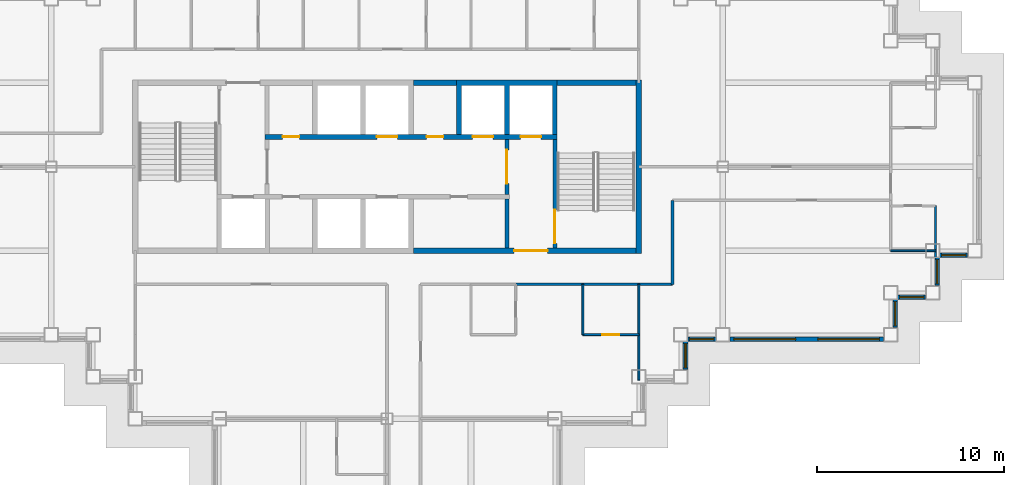
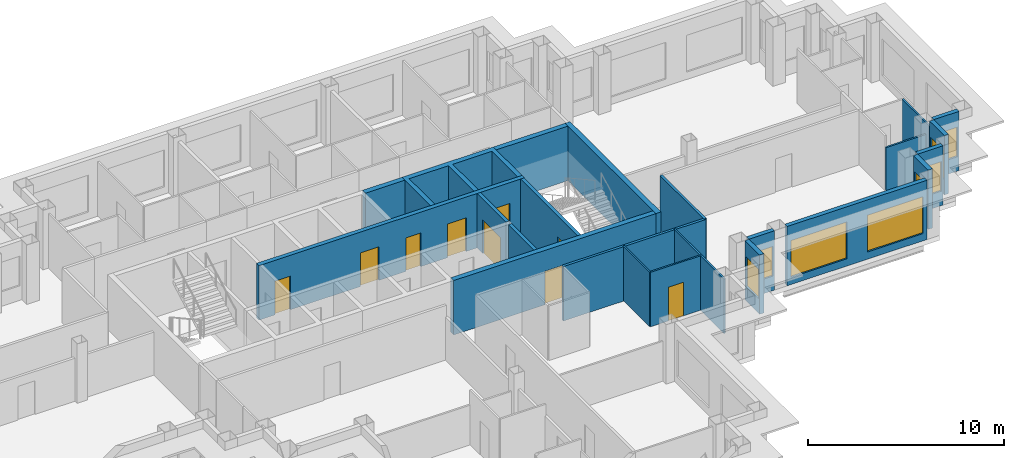
# One storey, part 6 of 13: 23 walls, 9 doors, 8 windows, 17 openings.
"""IFC4 building model written with IfcOpenShell, lengths in metres."""

from ifc_helpers import new_model, si_unit, direction, frame, frame_2d, origin, place, context, subcontext, project, spatial, polyline, rectangle, outline, extrude, material, layer, layer_set, type_object, element, fill, save


model = new_model("IFC4")

# Units and contexts
model_context = context("Model", 3, precision=1e-05, world=origin(), true_north=direction((0.0, 1.0)))
body_context = subcontext(model_context, "Body", "Model", "MODEL_VIEW")
ifc_project = project(units=[si_unit("LENGTHUNIT", "METRE"), si_unit("AREAUNIT", "SQUARE_METRE"), si_unit("VOLUMEUNIT", "CUBIC_METRE"), si_unit("PLANEANGLEUNIT", "RADIAN"), si_unit("MASSUNIT", "GRAM", prefix="KILO")], contexts=[model_context])

# Site, building, storey
site_placement = place(None, origin())
site = spatial("IfcSite", under=ifc_project, at=site_placement, CompositionType="ELEMENT")
building_placement = place(site_placement, origin())
building = spatial("IfcBuilding", under=site, at=building_placement, Name="Caravel Reach Hotel and Residences", CompositionType="ELEMENT")
storey_placement = place(building_placement, frame((0.0, 0.0, 169.10009765625)))
storey = spatial("IfcBuildingStorey", under=building, at=storey_placement, Name="L42", CompositionType="ELEMENT", Elevation=169.10009765625)

# Wall
ifc_material_1 = material(Name="Autoclaved aerated block wall")
ifc_layer_1 = layer(ifc_material_1, 0.199951171875)
ifc_layer_set_1 = layer_set([ifc_layer_1], Name="Compartment wall 200 mm EI 120")
wall_type_1 = type_object("IfcWallType", Name="Compartment wall 200 mm EI 120", PredefinedType="PARTITIONING", material=ifc_layer_set_1)
wall_1_placement = place(storey_placement, frame((37.928466796875, 22.64990234375, 0.0), z_axis=(0.0, 0.0, 1.0), x_axis=(0.0, 1.0, 0.0)))
element("IfcWall", 1, at=wall_1_placement, inside=storey, type_object=wall_type_1, Name="L42 store partition", PredefinedType="PARTITIONING", context=body_context, shape_type="SweptSolid", body=[
    extrude(rectangle(XDim=2.625, YDim=0.199951171875, at=frame_2d((1.3125, 0.0))), origin(), (0.0, 0.0, 1.0), 3.39990234375),
])

# Wall, opening, door
ifc_material_2 = material(Name="Concrete C60", Category="concrete")
ifc_layer_2 = layer(ifc_material_2, 0.300048828125)
ifc_layer_set_2 = layer_set([ifc_layer_2], Name="Core wall 300 mm EI 120")
wall_type_2 = type_object("IfcWallType", Name="Core wall 300 mm EI 120", PredefinedType="SHEAR", material=ifc_layer_set_2)
wall_2_placement = place(storey_placement, frame((32.91064453125, 22.5, 0.0), z_axis=(0.0, 0.0, 1.0), x_axis=(1.0, 0.0, 0.0)))
wall_2 = element("IfcWall", 2, at=wall_2_placement, inside=storey, type_object=wall_type_2, Name="L42 core wall S3", PredefinedType="SHEAR", context=body_context, shape_type="SweptSolid", body=[
    extrude(rectangle(XDim=11.939453125, YDim=0.300048828125, at=frame_2d((5.9697265625, 0.0))), origin(), (0.0, 0.0, 1.0), 3.39990234375),
])
opening_1_placement = place(wall_2_placement, frame((5.403564453125, 0.0, 0.0)))
opening_1 = element("IfcOpeningElement", 3, at=opening_1_placement, cuts=wall_2, Name="Opening D42-015", PredefinedType="OPENING", context=body_context, shape_type="SweptSolid", body=[
    extrude(rectangle(XDim=1.800048828125, YDim=2.10009765625, at=frame_2d((0.89990234375, 1.050048828125))), frame((0.0, 0.159912109375, 0.0), z_axis=(0.0, -1.0, 0.0), x_axis=(1.0, 0.0, 0.0)), (0.0, 0.0, 1.0), 0.320068359375),
])
ifc_material_3 = material(Name="Steel fire door leaf", Category="steel")
door_type_1 = type_object("IfcDoorType", Name="Fire lobby door pair 1800 x 2100 EI 90", OperationType="DOUBLE_DOOR_SINGLE_SWING", PredefinedType="DOOR", material=ifc_material_3)
door_1_placement = place(opening_1_placement, origin())
door_1 = element("IfcDoor", 4, at=door_1_placement, inside=storey, type_object=door_type_1, Name="lobby S door pair to corridor", OperationType="DOUBLE_DOOR_SINGLE_SWING", OverallHeight=2.10009765625, OverallWidth=1.800048828125, PredefinedType="DOOR", context=body_context, shape_type="SweptSolid", body=[
    extrude(rectangle(XDim=1.800048828125, YDim=2.10009765625, at=frame_2d((0.89990234375, 1.050048828125))), frame((0.0, 0.02490234375, 0.0), z_axis=(0.0, -1.0, 0.0), x_axis=(1.0, 0.0, 0.0)), (0.0, 0.0, 1.0), 0.050048828125),
])
fill(opening_1, door_1)

# Walls
wall_3_placement = place(storey_placement, frame((32.91064453125, 31.5, 0.0), z_axis=(0.0, 0.0, 1.0), x_axis=(1.0, 0.0, 0.0)))
element("IfcWall", 5, at=wall_3_placement, inside=storey, type_object=wall_type_2, Name="L42 core wall N2", PredefinedType="SHEAR", context=body_context, shape_type="SweptSolid", body=[
    extrude(rectangle(XDim=2.321533203125, YDim=0.300048828125, at=frame_2d((1.16064453125, 0.0))), origin(), (0.0, 0.0, 1.0), 3.39990234375),
])
wall_4_placement = place(storey_placement, frame((40.625, 31.5, 0.0), z_axis=(0.0, 0.0, 1.0), x_axis=(1.0, 0.0, 0.0)))
element("IfcWall", 6, at=wall_4_placement, inside=storey, type_object=wall_type_2, Name="L42 core wall N3", PredefinedType="SHEAR", context=body_context, shape_type="SweptSolid", body=[
    extrude(rectangle(XDim=4.22509765625, YDim=0.300048828125, at=frame_2d((2.112548828125, 0.0))), origin(), (0.0, 0.0, 1.0), 3.39990234375),
])
wall_5_placement = place(storey_placement, frame((45.0, 22.35009765625, 0.0), z_axis=(0.0, 0.0, 1.0), x_axis=(0.0, 1.0, 0.0)))
element("IfcWall", 7, at=wall_5_placement, inside=storey, type_object=wall_type_2, Name="L42 core wall E", PredefinedType="SHEAR", context=body_context, shape_type="SweptSolid", body=[
    extrude(rectangle(XDim=9.2998046875, YDim=0.300048828125, at=frame_2d((4.64990234375, 0.0))), origin(), (0.0, 0.0, 1.0), 3.39990234375),
])
ifc_material_4 = material(Name="Gypsum board on steel stud, fire-rated", Category="steel")
ifc_layer_3 = layer(ifc_material_4, 0.14990234375)
ifc_layer_set_3 = layer_set([ifc_layer_3], Name="Corridor wall 150 mm EI 60")
wall_type_3 = type_object("IfcWallType", Name="Corridor wall 150 mm EI 60", PredefinedType="PARTITIONING", material=ifc_layer_set_3)
wall_6_placement = place(storey_placement, frame((38.39990234375, 20.699951171875, 0.0), z_axis=(0.0, 0.0, 1.0), x_axis=(1.0, 0.0, 0.0)))
element("IfcWall", 8, at=wall_6_placement, inside=storey, type_object=wall_type_3, Name="L42 wall w003", PredefinedType="PARTITIONING", context=body_context, shape_type="SweptSolid", body=[
    extrude(rectangle(XDim=8.400146484375, YDim=0.14990234375, at=frame_2d((4.2001953125, 0.0))), origin(), (0.0, 0.0, 1.0), 3.39990234375),
])
wall_7_placement = place(storey_placement, frame((46.800048828125, 20.699951171875, 0.0), z_axis=(0.0, 0.0, 1.0), x_axis=(0.0, 1.0, 0.0)))
element("IfcWall", 9, at=wall_7_placement, inside=storey, type_object=wall_type_3, Name="L42 wall w029", PredefinedType="PARTITIONING", context=body_context, shape_type="SweptSolid", body=[
    extrude(rectangle(XDim=4.4990234375, YDim=0.14990234375, at=frame_2d((2.24951171875, 0.0))), origin(), (0.0, 0.0, 1.0), 3.39990234375),
])

# Wall, opening, window
ifc_material_5 = material(Name="Insulated rainscreen wall, aluminium cladding", Category="aluminium")
ifc_layer_4 = layer(ifc_material_5, 0.25)
ifc_layer_set_4 = layer_set([ifc_layer_4], Name="EW1 Tower rainscreen wall")
wall_type_4 = type_object("IfcWallType", Name="EW1 Tower rainscreen wall", PredefinedType="SOLIDWALL", material=ifc_layer_set_4)
wall_8_placement = place(storey_placement, frame((47.5, 16.125, 0.0), z_axis=(0.0, 0.0, 1.0), x_axis=(0.0, 1.0, 0.0)))
wall_8 = element("IfcWall", 10, at=wall_8_placement, inside=storey, type_object=wall_type_4, Name="External wall L42 E14.1", PredefinedType="SOLIDWALL", context=body_context, shape_type="SweptSolid", body=[
    extrude(rectangle(XDim=1.5, YDim=0.25, at=frame_2d((0.75, 0.0))), origin(), (0.0, 0.0, 1.0), 3.699951171875),
])
opening_2_placement = place(wall_8_placement, frame((0.10009765625, 0.0, 0.89990234375)))
opening_2 = element("IfcOpeningElement", 11, at=opening_2_placement, cuts=wall_8, Name="Opening WN16", PredefinedType="OPENING", context=body_context, shape_type="SweptSolid", body=[
    extrude(rectangle(XDim=1.300048828125, YDim=1.85009765625, at=frame_2d((0.64990234375, 0.925048828125))), frame((0.0, 0.135009765625, 0.0), z_axis=(0.0, -1.0, 0.0), x_axis=(1.0, 0.0, 0.0)), (0.0, 0.0, 1.0), 0.27001953125),
])
ifc_material_6 = material(Name="Dark low-e glazing in black aluminium frame", Category="aluminium")
window_type_1 = type_object("IfcWindowType", Name="Residence bedroom window 1300 x 1850", PartitioningType="SINGLE_PANEL", PredefinedType="WINDOW", material=ifc_material_6)
window_1_placement = place(opening_2_placement, origin())
window_1 = element("IfcWindow", 12, at=window_1_placement, inside=storey, type_object=window_type_1, Name="Window L42 E14.1.1", OverallHeight=1.85009765625, OverallWidth=1.300048828125, PartitioningType="SINGLE_PANEL", PredefinedType="WINDOW", context=body_context, shape_type="SweptSolid", body=[
    extrude(rectangle(XDim=1.300048828125, YDim=1.85009765625, at=frame_2d((0.64990234375, 0.925048828125))), frame((0.0, 0.030029296875, 0.0), z_axis=(0.0, -1.0, 0.0), x_axis=(1.0, 0.0, 0.0)), (0.0, 0.0, 1.0), 0.06005859375),
])
fill(opening_2, window_1)

wall_9_placement = place(storey_placement, frame((47.625, 17.75, 0.0), z_axis=(0.0, 0.0, 1.0), x_axis=(1.0, 0.0, 0.0)))
wall_9 = element("IfcWall", 13, at=wall_9_placement, inside=storey, type_object=wall_type_4, Name="External wall L42 S15.1", PredefinedType="SOLIDWALL", context=body_context, shape_type="SweptSolid", body=[
    extrude(rectangle(XDim=1.5, YDim=0.25, at=frame_2d((0.75, 0.0))), origin(), (0.0, 0.0, 1.0), 3.699951171875),
])
opening_3_placement = place(wall_9_placement, frame((0.10009765625, 0.0, 0.89990234375)))
opening_3 = element("IfcOpeningElement", 14, at=opening_3_placement, cuts=wall_9, Name="Opening WN16", PredefinedType="OPENING", context=body_context, shape_type="SweptSolid", body=[
    extrude(rectangle(XDim=1.300048828125, YDim=1.85009765625, at=frame_2d((0.64990234375, 0.925048828125))), frame((0.0, 0.135009765625, 0.0), z_axis=(0.0, -1.0, 0.0), x_axis=(1.0, 0.0, 0.0)), (0.0, 0.0, 1.0), 0.27001953125),
])
window_2_placement = place(opening_3_placement, origin())
window_2 = element("IfcWindow", 15, at=window_2_placement, inside=storey, type_object=window_type_1, Name="Window L42 S15.1.1", OverallHeight=1.85009765625, OverallWidth=1.300048828125, PartitioningType="SINGLE_PANEL", PredefinedType="WINDOW", context=body_context, shape_type="SweptSolid", body=[
    extrude(rectangle(XDim=1.300048828125, YDim=1.85009765625, at=frame_2d((0.64990234375, 0.925048828125))), frame((0.0, 0.030029296875, 0.0), z_axis=(0.0, -1.0, 0.0), x_axis=(1.0, 0.0, 0.0)), (0.0, 0.0, 1.0), 0.06005859375),
])
fill(opening_3, window_2)

# Wall, openings, windows
wall_10_placement = place(storey_placement, frame((49.875, 17.75, 0.0), z_axis=(0.0, 0.0, 1.0), x_axis=(1.0, 0.0, 0.0)))
wall_10 = element("IfcWall", 16, at=wall_10_placement, inside=storey, type_object=wall_type_4, Name="External wall L42 S15.2", PredefinedType="SOLIDWALL", context=body_context, shape_type="SweptSolid", body=[
    extrude(rectangle(XDim=8.25, YDim=0.25, at=frame_2d((4.125, 0.0))), origin(), (0.0, 0.0, 1.0), 3.699951171875),
])
opening_4_placement = place(wall_10_placement, frame((0.22509765625, 0.0, 0.449951171875)))
opening_4 = element("IfcOpeningElement", 17, at=opening_4_placement, cuts=wall_10, Name="Opening WN15", PredefinedType="OPENING", context=body_context, shape_type="SweptSolid", body=[
    extrude(rectangle(XDim=3.300048828125, YDim=2.300048828125, at=frame_2d((1.64990234375, 1.14990234375))), frame((0.0, 0.135009765625, 0.0), z_axis=(0.0, -1.0, 0.0), x_axis=(1.0, 0.0, 0.0)), (0.0, 0.0, 1.0), 0.27001953125),
])
opening_5_placement = place(wall_10_placement, frame((4.72509765625, 0.0, 0.449951171875)))
opening_5 = element("IfcOpeningElement", 18, at=opening_5_placement, cuts=wall_10, Name="Opening WN15", PredefinedType="OPENING", context=body_context, shape_type="SweptSolid", body=[
    extrude(rectangle(XDim=3.300048828125, YDim=2.300048828125, at=frame_2d((1.64990234375, 1.14990234375))), frame((0.0, 0.135009765625, 0.0), z_axis=(0.0, -1.0, 0.0), x_axis=(1.0, 0.0, 0.0)), (0.0, 0.0, 1.0), 0.27001953125),
])
ifc_material_7 = material(Name="Dark low-e glazing in black aluminium frame", Category="aluminium")
window_type_2 = type_object("IfcWindowType", Name="Residence living window 3300 x 2300", PartitioningType="SINGLE_PANEL", PredefinedType="WINDOW", material=ifc_material_7)
window_3_placement = place(opening_4_placement, origin())
window_3 = element("IfcWindow", 19, at=window_3_placement, inside=storey, type_object=window_type_2, Name="Window L42 S15.2.1", OverallHeight=2.300048828125, OverallWidth=3.300048828125, PartitioningType="SINGLE_PANEL", PredefinedType="WINDOW", context=body_context, shape_type="SweptSolid", body=[
    extrude(rectangle(XDim=3.300048828125, YDim=2.300048828125, at=frame_2d((1.64990234375, 1.14990234375))), frame((0.0, 0.030029296875, 0.0), z_axis=(0.0, -1.0, 0.0), x_axis=(1.0, 0.0, 0.0)), (0.0, 0.0, 1.0), 0.06005859375),
])
fill(opening_4, window_3)
window_4_placement = place(opening_5_placement, origin())
window_4 = element("IfcWindow", 20, at=window_4_placement, inside=storey, type_object=window_type_2, Name="Window L42 S15.2.2", OverallHeight=2.300048828125, OverallWidth=3.300048828125, PartitioningType="SINGLE_PANEL", PredefinedType="WINDOW", context=body_context, shape_type="SweptSolid", body=[
    extrude(rectangle(XDim=3.300048828125, YDim=2.300048828125, at=frame_2d((1.64990234375, 1.14990234375))), frame((0.0, 0.030029296875, 0.0), z_axis=(0.0, -1.0, 0.0), x_axis=(1.0, 0.0, 0.0)), (0.0, 0.0, 1.0), 0.06005859375),
])
fill(opening_5, window_4)

# Wall, opening, window
wall_11_placement = place(storey_placement, frame((58.75, 18.375, 0.0), z_axis=(0.0, 0.0, 1.0), x_axis=(0.0, 1.0, 0.0)))
wall_11 = element("IfcWall", 21, at=wall_11_placement, inside=storey, type_object=wall_type_4, Name="External wall L42 E16.1", PredefinedType="SOLIDWALL", context=body_context, shape_type="SweptSolid", body=[
    extrude(rectangle(XDim=1.5, YDim=0.25, at=frame_2d((0.75, 0.0))), origin(), (0.0, 0.0, 1.0), 3.699951171875),
])
opening_6_placement = place(wall_11_placement, frame((0.10009765625, 0.0, 0.89990234375)))
opening_6 = element("IfcOpeningElement", 22, at=opening_6_placement, cuts=wall_11, Name="Opening WN16", PredefinedType="OPENING", context=body_context, shape_type="SweptSolid", body=[
    extrude(rectangle(XDim=1.300048828125, YDim=1.85009765625, at=frame_2d((0.64990234375, 0.925048828125))), frame((0.0, 0.135009765625, 0.0), z_axis=(0.0, -1.0, 0.0), x_axis=(1.0, 0.0, 0.0)), (0.0, 0.0, 1.0), 0.27001953125),
])
window_5_placement = place(opening_6_placement, origin())
window_5 = element("IfcWindow", 23, at=window_5_placement, inside=storey, type_object=window_type_1, Name="Window L42 E16.1.1", OverallHeight=1.85009765625, OverallWidth=1.300048828125, PartitioningType="SINGLE_PANEL", PredefinedType="WINDOW", context=body_context, shape_type="SweptSolid", body=[
    extrude(rectangle(XDim=1.300048828125, YDim=1.85009765625, at=frame_2d((0.64990234375, 0.925048828125))), frame((0.0, 0.030029296875, 0.0), z_axis=(0.0, -1.0, 0.0), x_axis=(1.0, 0.0, 0.0)), (0.0, 0.0, 1.0), 0.06005859375),
])
fill(opening_6, window_5)

wall_12_placement = place(storey_placement, frame((58.875, 20.0, 0.0), z_axis=(0.0, 0.0, 1.0), x_axis=(1.0, 0.0, 0.0)))
wall_12 = element("IfcWall", 24, at=wall_12_placement, inside=storey, type_object=wall_type_4, Name="External wall L42 S17.1", PredefinedType="SOLIDWALL", context=body_context, shape_type="SweptSolid", body=[
    extrude(rectangle(XDim=1.5, YDim=0.25, at=frame_2d((0.75, 0.0))), origin(), (0.0, 0.0, 1.0), 3.699951171875),
])
opening_7_placement = place(wall_12_placement, frame((0.10009765625, 0.0, 0.89990234375)))
opening_7 = element("IfcOpeningElement", 25, at=opening_7_placement, cuts=wall_12, Name="Opening WN16", PredefinedType="OPENING", context=body_context, shape_type="SweptSolid", body=[
    extrude(rectangle(XDim=1.300048828125, YDim=1.85009765625, at=frame_2d((0.64990234375, 0.925048828125))), frame((0.0, 0.135009765625, 0.0), z_axis=(0.0, -1.0, 0.0), x_axis=(1.0, 0.0, 0.0)), (0.0, 0.0, 1.0), 0.27001953125),
])
window_6_placement = place(opening_7_placement, origin())
window_6 = element("IfcWindow", 26, at=window_6_placement, inside=storey, type_object=window_type_1, Name="Window L42 S17.1.1", OverallHeight=1.85009765625, OverallWidth=1.300048828125, PartitioningType="SINGLE_PANEL", PredefinedType="WINDOW", context=body_context, shape_type="SweptSolid", body=[
    extrude(rectangle(XDim=1.300048828125, YDim=1.85009765625, at=frame_2d((0.64990234375, 0.925048828125))), frame((0.0, 0.030029296875, 0.0), z_axis=(0.0, -1.0, 0.0), x_axis=(1.0, 0.0, 0.0)), (0.0, 0.0, 1.0), 0.06005859375),
])
fill(opening_7, window_6)

wall_13_placement = place(storey_placement, frame((61.0, 20.625, 0.0), z_axis=(0.0, 0.0, 1.0), x_axis=(0.0, 1.0, 0.0)))
wall_13 = element("IfcWall", 27, at=wall_13_placement, inside=storey, type_object=wall_type_4, Name="External wall L42 E18.1", PredefinedType="SOLIDWALL", context=body_context, shape_type="SweptSolid", body=[
    extrude(rectangle(XDim=1.5, YDim=0.25, at=frame_2d((0.75, 0.0))), origin(), (0.0, 0.0, 1.0), 3.699951171875),
])
opening_8_placement = place(wall_13_placement, frame((0.10009765625, 0.0, 0.89990234375)))
opening_8 = element("IfcOpeningElement", 28, at=opening_8_placement, cuts=wall_13, Name="Opening WN16", PredefinedType="OPENING", context=body_context, shape_type="SweptSolid", body=[
    extrude(rectangle(XDim=1.300048828125, YDim=1.85009765625, at=frame_2d((0.64990234375, 0.925048828125))), frame((0.0, 0.135009765625, 0.0), z_axis=(0.0, -1.0, 0.0), x_axis=(1.0, 0.0, 0.0)), (0.0, 0.0, 1.0), 0.27001953125),
])
window_7_placement = place(opening_8_placement, origin())
window_7 = element("IfcWindow", 29, at=window_7_placement, inside=storey, type_object=window_type_1, Name="Window L42 E18.1.1", OverallHeight=1.85009765625, OverallWidth=1.300048828125, PartitioningType="SINGLE_PANEL", PredefinedType="WINDOW", context=body_context, shape_type="SweptSolid", body=[
    extrude(rectangle(XDim=1.300048828125, YDim=1.85009765625, at=frame_2d((0.64990234375, 0.925048828125))), frame((0.0, 0.030029296875, 0.0), z_axis=(0.0, -1.0, 0.0), x_axis=(1.0, 0.0, 0.0)), (0.0, 0.0, 1.0), 0.06005859375),
])
fill(opening_8, window_7)

wall_14_placement = place(storey_placement, frame((61.125, 22.25, 0.0), z_axis=(0.0, 0.0, 1.0), x_axis=(1.0, 0.0, 0.0)))
wall_14 = element("IfcWall", 30, at=wall_14_placement, inside=storey, type_object=wall_type_4, Name="External wall L42 S19.1", PredefinedType="SOLIDWALL", context=body_context, shape_type="SweptSolid", body=[
    extrude(rectangle(XDim=1.5, YDim=0.25, at=frame_2d((0.75, 0.0))), origin(), (0.0, 0.0, 1.0), 3.699951171875),
])
opening_9_placement = place(wall_14_placement, frame((0.10009765625, 0.0, 0.89990234375)))
opening_9 = element("IfcOpeningElement", 31, at=opening_9_placement, cuts=wall_14, Name="Opening WN16", PredefinedType="OPENING", context=body_context, shape_type="SweptSolid", body=[
    extrude(rectangle(XDim=1.300048828125, YDim=1.85009765625, at=frame_2d((0.64990234375, 0.925048828125))), frame((0.0, 0.135009765625, 0.0), z_axis=(0.0, -1.0, 0.0), x_axis=(1.0, 0.0, 0.0)), (0.0, 0.0, 1.0), 0.27001953125),
])
window_8_placement = place(opening_9_placement, origin())
window_8 = element("IfcWindow", 32, at=window_8_placement, inside=storey, type_object=window_type_1, Name="Window L42 S19.1.1", OverallHeight=1.85009765625, OverallWidth=1.300048828125, PartitioningType="SINGLE_PANEL", PredefinedType="WINDOW", context=body_context, shape_type="SweptSolid", body=[
    extrude(rectangle(XDim=1.300048828125, YDim=1.85009765625, at=frame_2d((0.64990234375, 0.925048828125))), frame((0.0, 0.030029296875, 0.0), z_axis=(0.0, -1.0, 0.0), x_axis=(1.0, 0.0, 0.0)), (0.0, 0.0, 1.0), 0.06005859375),
])
fill(opening_9, window_8)

# Wall, opening, door
ifc_material_8 = material(Name="Autoclaved aerated block wall")
ifc_layer_5 = layer(ifc_material_8, 0.199951171875)
ifc_layer_set_5 = layer_set([ifc_layer_5], Name="Fire lobby wall 200 mm EI 120")
wall_type_5 = type_object("IfcWallType", Name="Fire lobby wall 200 mm EI 120", PredefinedType="PARTITIONING", material=ifc_layer_set_5)
wall_15_placement = place(storey_placement, frame((37.928466796875, 25.52490234375, 0.0), z_axis=(0.0, 0.0, 1.0), x_axis=(0.0, 1.0, 0.0)))
wall_15 = element("IfcWall", 33, at=wall_15_placement, inside=storey, type_object=wall_type_5, Name="L42 lobby E wall", PredefinedType="PARTITIONING", context=body_context, shape_type="SweptSolid", body=[
    extrude(rectangle(XDim=2.9501953125, YDim=0.199951171875, at=frame_2d((1.47509765625, 0.0))), origin(), (0.0, 0.0, 1.0), 3.39990234375),
])
opening_10_placement = place(wall_15_placement, frame((0.574951171875, 0.0, 0.0)))
opening_10 = element("IfcOpeningElement", 34, at=opening_10_placement, cuts=wall_15, Name="Opening D42-013", PredefinedType="OPENING", context=body_context, shape_type="SweptSolid", body=[
    extrude(rectangle(XDim=1.800048828125, YDim=2.10009765625, at=frame_2d((0.89990234375, 1.050048828125))), frame((0.0, 0.10986328125, 0.0), z_axis=(0.0, -1.0, 0.0), x_axis=(1.0, 0.0, 0.0)), (0.0, 0.0, 1.0), 0.219970703125),
])
door_2_placement = place(opening_10_placement, origin())
door_2 = element("IfcDoor", 35, at=door_2_placement, inside=storey, type_object=door_type_1, Name="lobby E door pair", OperationType="DOUBLE_DOOR_SINGLE_SWING", OverallHeight=2.10009765625, OverallWidth=1.800048828125, PredefinedType="DOOR", context=body_context, shape_type="SweptSolid", body=[
    extrude(rectangle(XDim=1.800048828125, YDim=2.10009765625, at=frame_2d((0.89990234375, 1.050048828125))), frame((0.0, 0.02490234375, 0.0), z_axis=(0.0, -1.0, 0.0), x_axis=(1.0, 0.0, 0.0)), (0.0, 0.0, 1.0), 0.050048828125),
])
fill(opening_10, door_2)

ifc_material_9 = material(Name="Gypsum board on steel stud", Category="steel")
ifc_layer_6 = layer(ifc_material_9, 0.10009765625)
ifc_layer_set_6 = layer_set([ifc_layer_6], Name="Partition 100 mm")
wall_type_6 = type_object("IfcWallType", Name="Partition 100 mm", PredefinedType="PARTITIONING", material=ifc_layer_set_6)
wall_16_placement = place(storey_placement, frame((42.0, 18.0, 0.0), z_axis=(0.0, 0.0, 1.0), x_axis=(1.0, 0.0, 0.0)))
wall_16 = element("IfcWall", 36, at=wall_16_placement, inside=storey, type_object=wall_type_6, Name="L42 wall w036", PredefinedType="PARTITIONING", context=body_context, shape_type="SweptSolid", body=[
    extrude(rectangle(XDim=3.0, YDim=0.10009765625, at=frame_2d((1.5, 0.0))), origin(), (0.0, 0.0, 1.0), 3.39990234375),
])
opening_11_placement = place(wall_16_placement, frame((1.050048828125, 0.0, 0.0)))
opening_11 = element("IfcOpeningElement", 37, at=opening_11_placement, cuts=wall_16, Name="Opening D42-035", PredefinedType="OPENING", context=body_context, shape_type="SweptSolid", body=[
    extrude(rectangle(XDim=0.89990234375, YDim=2.10009765625, at=frame_2d((0.449951171875, 1.050048828125))), frame((0.0, 0.06005859375, 0.0), z_axis=(0.0, -1.0, 0.0), x_axis=(1.0, 0.0, 0.0)), (0.0, 0.0, 1.0), 0.1201171875),
])
ifc_material_10 = material(Name="Timber and steel door leaf", Category="steel")
door_type_2 = type_object("IfcDoorType", Name="Door 900 x 2100 timber", OperationType="SINGLE_SWING_LEFT", PredefinedType="DOOR", material=ifc_material_10)
door_3_placement = place(opening_11_placement, origin())
door_3 = element("IfcDoor", 38, at=door_3_placement, inside=storey, type_object=door_type_2, Name="door D42-035", OperationType="SINGLE_SWING_RIGHT", OverallHeight=2.10009765625, OverallWidth=0.89990234375, PredefinedType="DOOR", context=body_context, shape_type="SweptSolid", body=[
    extrude(rectangle(XDim=0.89990234375, YDim=2.10009765625, at=frame_2d((0.449951171875, 1.050048828125))), frame((0.0, 0.02490234375, 0.0), z_axis=(0.0, -1.0, 0.0), x_axis=(1.0, 0.0, 0.0)), (0.0, 0.0, 1.0), 0.050048828125),
])
fill(opening_11, door_3)

# Walls
wall_17_placement = place(storey_placement, frame((58.5009765625, 22.5, 0.0), z_axis=(0.0, 0.0, 1.0), x_axis=(1.0, 0.0, 0.0)))
element("IfcWall", 39, at=wall_17_placement, inside=storey, type_object=wall_type_6, Name="L42 wall w038", PredefinedType="PARTITIONING", context=body_context, shape_type="SweptSolid", body=[
    extrude(rectangle(XDim=2.43896484375, YDim=0.10009765625, at=frame_2d((1.219482421875, 0.0))), origin(), (0.0, 0.0, 1.0), 2.679931640625),
])
wall_18_placement = place(storey_placement, frame((42.0, 18.0, 0.0), z_axis=(0.0, 0.0, 1.0), x_axis=(0.0, 1.0, 0.0)))
element("IfcWall", 40, at=wall_18_placement, inside=storey, type_object=wall_type_6, Name="L42 wall w068", PredefinedType="PARTITIONING", context=body_context, shape_type="SweptSolid", body=[
    extrude(rectangle(XDim=2.699951171875, YDim=0.10009765625, at=frame_2d((1.35009765625, 0.0))), origin(), (0.0, 0.0, 1.0), 3.39990234375),
])
wall_19_placement = place(storey_placement, frame((45.0, 15.56005859375, 0.0), z_axis=(0.0, 0.0, 1.0), x_axis=(0.0, 1.0, 0.0)))
element("IfcWall", 41, at=wall_19_placement, inside=storey, type_object=wall_type_6, Name="L42 wall w069", PredefinedType="PARTITIONING", context=body_context, shape_type="SweptSolid", body=[
    extrude(rectangle(XDim=5.138916015625, YDim=0.10009765625, at=frame_2d((2.5693359375, 0.0))), origin(), (0.0, 0.0, 1.0), 3.39990234375),
])
wall_20_placement = place(storey_placement, frame((60.89990234375, 22.125, 0.0), z_axis=(0.0, 0.0, 1.0), x_axis=(0.0, 1.0, 0.0)))
element("IfcWall", 42, at=wall_20_placement, inside=storey, type_object=wall_type_6, Name="L42 wall w074", PredefinedType="PARTITIONING", context=body_context, shape_type="SweptSolid", body=[
    extrude(rectangle(XDim=2.77490234375, YDim=0.10009765625, at=frame_2d((1.387451171875, 0.0))), origin(), (0.0, 0.0, 1.0), 3.39990234375),
])
ifc_material_11 = material(Name="Concrete C60", Category="concrete")
ifc_layer_7 = layer(ifc_material_11, 0.25)
ifc_layer_set_7 = layer_set([ifc_layer_7], Name="Shaft wall 250 mm EI 120")
wall_type_7 = type_object("IfcWallType", Name="Shaft wall 250 mm EI 120", PredefinedType="SHEAR", material=ifc_layer_set_7)
wall_21_placement = place(storey_placement, origin())
element("IfcWall", 43, at=wall_21_placement, inside=storey, type_object=wall_type_7, Name="L42 lift shaft wall N2", PredefinedType="SHEAR", context=body_context, shape_type="SweptSolid", body=[
    extrude(outline(polyline([(35.232177734375, 28.72509765625), (35.482177734375, 28.72509765625), (35.482177734375, 31.35009765625), (37.803466796875, 31.35009765625), (37.803466796875, 28.72509765625), (38.053466796875, 28.72509765625), (38.053466796875, 31.35009765625), (40.375, 31.35009765625), (40.375, 28.72509765625), (40.625, 28.72509765625), (40.625, 31.64990234375), (35.232177734375, 31.64990234375), (35.232177734375, 28.72509765625)])), origin(), (0.0, 0.0, 1.0), 3.39990234375),
])

# Wall, openings, doors
wall_22_placement = place(storey_placement, frame((24.946533203125, 28.60009765625, 0.0), z_axis=(0.0, 0.0, 1.0), x_axis=(1.0, 0.0, 0.0)))
wall_22 = element("IfcWall", 44, at=wall_22_placement, inside=storey, type_object=wall_type_7, Name="L42 lobby wall N1", PredefinedType="SHEAR", context=body_context, shape_type="SweptSolid", body=[
    extrude(rectangle(XDim=15.678466796875, YDim=0.25, at=frame_2d((7.83935546875, 0.0))), origin(), (0.0, 0.0, 1.0), 3.39990234375),
])
opening_12_placement = place(wall_22_placement, frame((6.003662109375, 0.0, 0.0)))
opening_12 = element("IfcOpeningElement", 45, at=opening_12_placement, cuts=wall_22, Name="Opening D42-002", PredefinedType="OPENING", context=body_context, shape_type="SweptSolid", body=[
    extrude(rectangle(XDim=1.10009765625, YDim=2.10009765625, at=frame_2d((0.550048828125, 1.050048828125))), frame((0.0, 0.135009765625, 0.0), z_axis=(0.0, -1.0, 0.0), x_axis=(1.0, 0.0, 0.0)), (0.0, 0.0, 1.0), 0.27001953125),
])
opening_13_placement = place(wall_22_placement, frame((11.146484375, 0.0, 0.0)))
opening_13 = element("IfcOpeningElement", 46, at=opening_13_placement, cuts=wall_22, Name="Opening D42-003", PredefinedType="OPENING", context=body_context, shape_type="SweptSolid", body=[
    extrude(rectangle(XDim=1.10009765625, YDim=2.10009765625, at=frame_2d((0.550048828125, 1.050048828125))), frame((0.0, 0.135009765625, 0.0), z_axis=(0.0, -1.0, 0.0), x_axis=(1.0, 0.0, 0.0)), (0.0, 0.0, 1.0), 0.27001953125),
])
opening_14_placement = place(wall_22_placement, frame((13.718017578125, 0.0, 0.0)))
opening_14 = element("IfcOpeningElement", 47, at=opening_14_placement, cuts=wall_22, Name="Opening D42-005", PredefinedType="OPENING", context=body_context, shape_type="SweptSolid", body=[
    extrude(rectangle(XDim=1.10009765625, YDim=2.10009765625, at=frame_2d((0.550048828125, 1.050048828125))), frame((0.0, 0.135009765625, 0.0), z_axis=(0.0, -1.0, 0.0), x_axis=(1.0, 0.0, 0.0)), (0.0, 0.0, 1.0), 0.27001953125),
])
opening_15_placement = place(wall_22_placement, frame((0.960693359375, 0.0, 0.0)))
opening_15 = element("IfcOpeningElement", 48, at=opening_15_placement, cuts=wall_22, Name="Opening D42-008", PredefinedType="OPENING", context=body_context, shape_type="SweptSolid", body=[
    extrude(rectangle(XDim=0.89990234375, YDim=2.10009765625, at=frame_2d((0.449951171875, 1.050048828125))), frame((0.0, 0.135009765625, 0.0), z_axis=(0.0, -1.0, 0.0), x_axis=(1.0, 0.0, 0.0)), (0.0, 0.0, 1.0), 0.27001953125),
])
opening_16_placement = place(wall_22_placement, frame((8.675048828125, 0.0, 0.0)))
opening_16 = element("IfcOpeningElement", 49, at=opening_16_placement, cuts=wall_22, Name="Opening D42-009", PredefinedType="OPENING", context=body_context, shape_type="SweptSolid", body=[
    extrude(rectangle(XDim=0.89990234375, YDim=2.10009765625, at=frame_2d((0.449951171875, 1.050048828125))), frame((0.0, 0.135009765625, 0.0), z_axis=(0.0, -1.0, 0.0), x_axis=(1.0, 0.0, 0.0)), (0.0, 0.0, 1.0), 0.27001953125),
])
ifc_material_12 = material(Name="Stainless steel landing door", Category="steel")
door_type_3 = type_object("IfcDoorType", Name="Landing door LD 1100 x 2100 sliding", OperationType="DOUBLE_DOOR_SLIDING", PredefinedType="DOOR", material=ifc_material_12)
door_4_placement = place(opening_12_placement, origin())
door_4 = element("IfcDoor", 50, at=door_4_placement, inside=storey, type_object=door_type_3, Name="MP2 landing door", OperationType="DOUBLE_DOOR_SLIDING", OverallHeight=2.10009765625, OverallWidth=1.10009765625, PredefinedType="DOOR", context=body_context, shape_type="SweptSolid", body=[
    extrude(rectangle(XDim=1.10009765625, YDim=2.10009765625, at=frame_2d((0.550048828125, 1.050048828125))), frame((0.0, 0.02490234375, 0.0), z_axis=(0.0, -1.0, 0.0), x_axis=(1.0, 0.0, 0.0)), (0.0, 0.0, 1.0), 0.050048828125),
])
fill(opening_12, door_4)
door_5_placement = place(opening_13_placement, origin())
door_5 = element("IfcDoor", 51, at=door_5_placement, inside=storey, type_object=door_type_3, Name="MP3 landing door", OperationType="DOUBLE_DOOR_SLIDING", OverallHeight=2.10009765625, OverallWidth=1.10009765625, PredefinedType="DOOR", context=body_context, shape_type="SweptSolid", body=[
    extrude(rectangle(XDim=1.10009765625, YDim=2.10009765625, at=frame_2d((0.550048828125, 1.050048828125))), frame((0.0, 0.02490234375, 0.0), z_axis=(0.0, -1.0, 0.0), x_axis=(1.0, 0.0, 0.0)), (0.0, 0.0, 1.0), 0.050048828125),
])
fill(opening_13, door_5)
door_6_placement = place(opening_14_placement, origin())
door_6 = element("IfcDoor", 52, at=door_6_placement, inside=storey, type_object=door_type_3, Name="FL2 landing door", OperationType="DOUBLE_DOOR_SLIDING", OverallHeight=2.10009765625, OverallWidth=1.10009765625, PredefinedType="DOOR", context=body_context, shape_type="SweptSolid", body=[
    extrude(rectangle(XDim=1.10009765625, YDim=2.10009765625, at=frame_2d((0.550048828125, 1.050048828125))), frame((0.0, 0.02490234375, 0.0), z_axis=(0.0, -1.0, 0.0), x_axis=(1.0, 0.0, 0.0)), (0.0, 0.0, 1.0), 0.050048828125),
])
fill(opening_14, door_6)
ifc_material_13 = material(Name="Steel fire door leaf", Category="steel")
door_type_4 = type_object("IfcDoorType", Name="Riser door 900 x 2100 EI 60", OperationType="SINGLE_SWING_LEFT", PredefinedType="DOOR", material=ifc_material_13)
door_7_placement = place(opening_15_placement, origin())
door_7 = element("IfcDoor", 53, at=door_7_placement, inside=storey, type_object=door_type_4, Name="Package store door", OperationType="SINGLE_SWING_LEFT", OverallHeight=2.10009765625, OverallWidth=0.89990234375, PredefinedType="DOOR", context=body_context, shape_type="SweptSolid", body=[
    extrude(rectangle(XDim=0.89990234375, YDim=2.10009765625, at=frame_2d((0.449951171875, 1.050048828125))), frame((0.0, 0.02490234375, 0.0), z_axis=(0.0, -1.0, 0.0), x_axis=(1.0, 0.0, 0.0)), (0.0, 0.0, 1.0), 0.050048828125),
])
fill(opening_15, door_7)
door_8_placement = place(opening_16_placement, origin())
door_8 = element("IfcDoor", 54, at=door_8_placement, inside=storey, type_object=door_type_4, Name="Water tank room door", OperationType="SINGLE_SWING_LEFT", OverallHeight=2.10009765625, OverallWidth=0.89990234375, PredefinedType="DOOR", context=body_context, shape_type="SweptSolid", body=[
    extrude(rectangle(XDim=0.89990234375, YDim=2.10009765625, at=frame_2d((0.449951171875, 1.050048828125))), frame((0.0, 0.02490234375, 0.0), z_axis=(0.0, -1.0, 0.0), x_axis=(1.0, 0.0, 0.0)), (0.0, 0.0, 1.0), 0.050048828125),
])
fill(opening_16, door_8)

# Wall, opening, door
ifc_material_14 = material(Name="Concrete C60", Category="concrete")
ifc_layer_8 = layer(ifc_material_14, 0.199951171875)
ifc_layer_set_8 = layer_set([ifc_layer_8], Name="Stair enclosure wall 200 mm EI 120")
wall_type_8 = type_object("IfcWallType", Name="Stair enclosure wall 200 mm EI 120", PredefinedType="SHEAR", material=ifc_layer_set_8)
wall_23_placement = place(storey_placement, frame((40.5, 22.64990234375, 0.0), z_axis=(0.0, 0.0, 1.0), x_axis=(0.0, 1.0, 0.0)))
wall_23 = element("IfcWall", 55, at=wall_23_placement, inside=storey, type_object=wall_type_8, Name="L42 stair B wall", PredefinedType="SHEAR", context=body_context, shape_type="SweptSolid", body=[
    extrude(rectangle(XDim=5.8251953125, YDim=0.199951171875, at=frame_2d((2.91259765625, 0.0))), origin(), (0.0, 0.0, 1.0), 3.39990234375),
])
opening_17_placement = place(wall_23_placement, frame((0.25, 0.0, 0.0)))
opening_17 = element("IfcOpeningElement", 56, at=opening_17_placement, cuts=wall_23, Name="Opening D42-011", PredefinedType="OPENING", context=body_context, shape_type="SweptSolid", body=[
    extrude(rectangle(XDim=1.800048828125, YDim=2.10009765625, at=frame_2d((0.89990234375, 1.050048828125))), frame((0.0, 0.10986328125, 0.0), z_axis=(0.0, -1.0, 0.0), x_axis=(1.0, 0.0, 0.0)), (0.0, 0.0, 1.0), 0.219970703125),
])
ifc_material_15 = material(Name="Steel fire door leaf", Category="steel")
door_type_5 = type_object("IfcDoorType", Name="Stair door pair 1800 x 2100 EI 90", OperationType="DOUBLE_DOOR_SINGLE_SWING", PredefinedType="DOOR", material=ifc_material_15)
door_9_placement = place(opening_17_placement, origin())
door_9 = element("IfcDoor", 57, at=door_9_placement, inside=storey, type_object=door_type_5, Name="stair B door pair", OperationType="DOUBLE_DOOR_SINGLE_SWING", OverallHeight=2.10009765625, OverallWidth=1.800048828125, PredefinedType="DOOR", context=body_context, shape_type="SweptSolid", body=[
    extrude(rectangle(XDim=1.800048828125, YDim=2.10009765625, at=frame_2d((0.89990234375, 1.050048828125))), frame((0.0, 0.02490234375, 0.0), z_axis=(0.0, -1.0, 0.0), x_axis=(1.0, 0.0, 0.0)), (0.0, 0.0, 1.0), 0.050048828125),
])
fill(opening_17, door_9)

save(model, "model.ifc")
